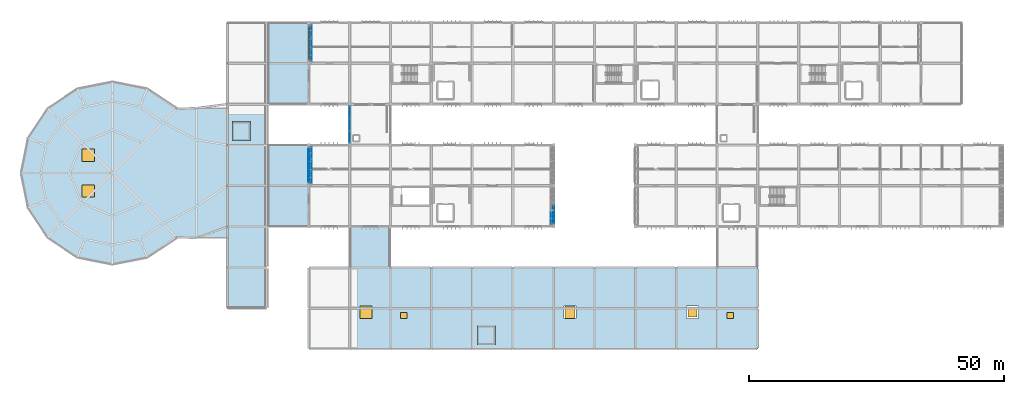
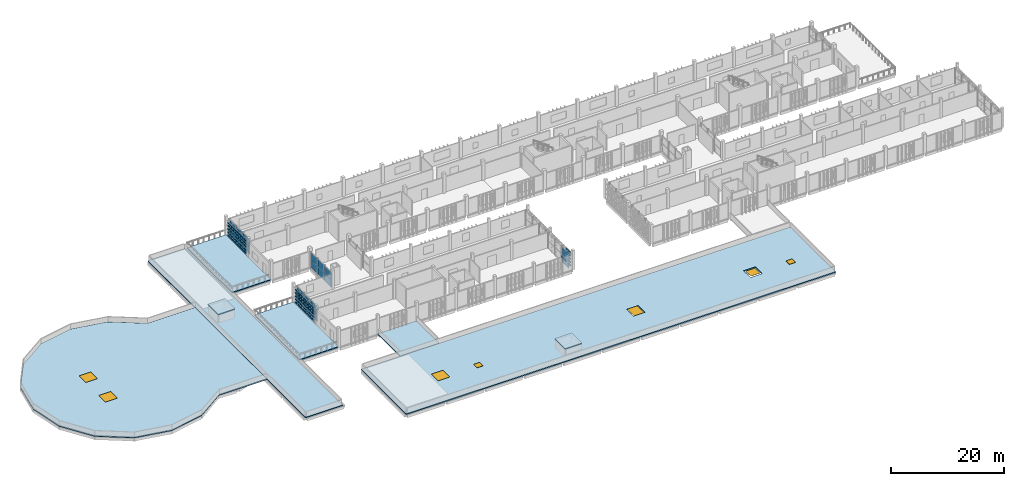
# One storey, part 27 of 48: 66 plates, 8 slabs, 5 windows, 2 doors, 7 openings, 4 elements without a shape of their own.
"""IFC4 building model written with IfcOpenShell, lengths in metres."""

from ifc_helpers import new_model, si_unit, direction, frame, origin, origin_2d, place, context, subcontext, project, spatial, polyline, rectangle, outline, extrude, material, layer, layer_set, type_object, element, fill, aggregate, save


model = new_model("IFC4")

# Units and contexts
model_context = context("Model", 3, precision=1e-05, world=origin(), true_north=direction((0.0, 1.0)))
body_context = subcontext(model_context, "Body", "Model", "MODEL_VIEW")
ifc_project = project(units=[si_unit("LENGTHUNIT", "METRE"), si_unit("AREAUNIT", "SQUARE_METRE"), si_unit("VOLUMEUNIT", "CUBIC_METRE"), si_unit("PLANEANGLEUNIT", "RADIAN"), si_unit("MASSUNIT", "GRAM", prefix="KILO")], contexts=[model_context])

# Site, building, storey
site_placement = place(None, origin())
site = spatial("IfcSite", under=ifc_project, at=site_placement, CompositionType="ELEMENT")
building_placement = place(site_placement, origin())
building = spatial("IfcBuilding", under=site, at=building_placement, Name="Jelvoka-Kovrelna Polytechnic", CompositionType="ELEMENT")
storey_placement = place(building_placement, frame((0.0, 0.0, 22.199951171875)))
storey = spatial("IfcBuildingStorey", under=building, at=storey_placement, Name="L06", CompositionType="ELEMENT", Elevation=22.199951171875)

# Curtain wall, plates
ifc_material_1 = material(Name="Anodised aluminium 6063-T6", Category="aluminium")
ifc_layer_1 = layer(ifc_material_1, 0.159912109375)
ifc_layer_set_1 = layer_set([ifc_layer_1], Name="Anodised aluminium 6063-T6")
curtain_wall_type_1 = type_object("IfcCurtainWallType", Name="CW_Recessed_A", PredefinedType="NOTDEFINED", material=ifc_layer_set_1)
curtain_wall_1_placement = place(storey_placement, origin())
curtain_wall_1 = element("IfcCurtainWall", 1, at=curtain_wall_1_placement, inside=storey, type_object=curtain_wall_type_1, Name="L06 glazed curtain wall 035", PredefinedType="NOTDEFINED")
ifc_material_2 = material(Name="Solar-control double glazing", Category="glass")
ifc_layer_2 = layer(ifc_material_2, 0.028076171875)
ifc_layer_set_2 = layer_set([ifc_layer_2], Name="Solar-control double glazing")
plate_type_1 = type_object("IfcPlateType", Name="Panel_GP-01", PredefinedType="CURTAIN_PANEL", material=ifc_layer_set_2)
plate_1_placement = place(storey_placement, frame((64.56005859375, 41.614990234375, 0.052001953125), z_axis=(0.0, 0.0, 1.0), x_axis=(0.0, 1.0, 0.0)))
plate_1 = element("IfcPlate", 2, at=plate_1_placement, type_object=plate_type_1, Name="CW-01 panel 1.1", PredefinedType="CURTAIN_PANEL", context=body_context, shape_type="SweptSolid", body=[
    extrude(rectangle(XDim=2.326171875, YDim=0.028076171875, at=origin_2d()), origin(), (0.0, 0.0, 1.0), 1.60107421875),
])
plate_2_placement = place(storey_placement, frame((64.56005859375, 41.614990234375, 1.697021484375), z_axis=(0.0, 0.0, 1.0), x_axis=(0.0, 1.0, 0.0)))
plate_2 = element("IfcPlate", 3, at=plate_2_placement, type_object=plate_type_1, Name="CW-01 panel 1.2", PredefinedType="CURTAIN_PANEL", context=body_context, shape_type="SweptSolid", body=[
    extrude(rectangle(XDim=2.326171875, YDim=0.028076171875, at=origin_2d()), origin(), (0.0, 0.0, 1.0), 1.60107421875),
])
plate_3_placement = place(storey_placement, frame((64.56005859375, 44.0, 0.052001953125), z_axis=(0.0, 0.0, 1.0), x_axis=(0.0, 1.0, 0.0)))
plate_3 = element("IfcPlate", 4, at=plate_3_placement, type_object=plate_type_1, Name="CW-01 panel 2.1", PredefinedType="CURTAIN_PANEL", context=body_context, shape_type="SweptSolid", body=[
    extrude(rectangle(XDim=2.356201171875, YDim=0.028076171875, at=origin_2d()), origin(), (0.0, 0.0, 1.0), 1.60107421875),
])
plate_4_placement = place(storey_placement, frame((64.56005859375, 44.0, 1.697021484375), z_axis=(0.0, 0.0, 1.0), x_axis=(0.0, 1.0, 0.0)))
plate_4 = element("IfcPlate", 5, at=plate_4_placement, type_object=plate_type_1, Name="CW-01 panel 2.2", PredefinedType="CURTAIN_PANEL", context=body_context, shape_type="SweptSolid", body=[
    extrude(rectangle(XDim=2.356201171875, YDim=0.028076171875, at=origin_2d()), origin(), (0.0, 0.0, 1.0), 1.60107421875),
])
plate_5_placement = place(storey_placement, frame((64.56005859375, 46.385009765625, 0.052001953125), z_axis=(0.0, 0.0, 1.0), x_axis=(0.0, 1.0, 0.0)))
plate_5 = element("IfcPlate", 6, at=plate_5_placement, type_object=plate_type_1, Name="CW-01 panel 3.1", PredefinedType="CURTAIN_PANEL", context=body_context, shape_type="SweptSolid", body=[
    extrude(rectangle(XDim=2.326171875, YDim=0.028076171875, at=origin_2d()), origin(), (0.0, 0.0, 1.0), 1.60107421875),
])
plate_6_placement = place(storey_placement, frame((64.56005859375, 46.385009765625, 1.697021484375), z_axis=(0.0, 0.0, 1.0), x_axis=(0.0, 1.0, 0.0)))
plate_6 = element("IfcPlate", 7, at=plate_6_placement, type_object=plate_type_1, Name="CW-01 panel 3.2", PredefinedType="CURTAIN_PANEL", context=body_context, shape_type="SweptSolid", body=[
    extrude(rectangle(XDim=2.326171875, YDim=0.028076171875, at=origin_2d()), origin(), (0.0, 0.0, 1.0), 1.60107421875),
])
aggregate(curtain_wall_1, [plate_1, plate_2, plate_3, plate_4, plate_5, plate_6])

curtain_wall_2_placement = place(storey_placement, origin())
curtain_wall_2 = element("IfcCurtainWall", 8, at=curtain_wall_2_placement, inside=storey, type_object=curtain_wall_type_1, Name="L06 glazed curtain wall 036", PredefinedType="NOTDEFINED")
plate_7_placement = place(storey_placement, frame((111.43994140625, 33.614990234375, 0.052001953125), z_axis=(0.0, 0.0, 1.0), x_axis=(0.0, -1.0, 0.0)))
plate_7 = element("IfcPlate", 9, at=plate_7_placement, type_object=plate_type_1, Name="CW-01 panel 3.1", PredefinedType="CURTAIN_PANEL", context=body_context, shape_type="SweptSolid", body=[
    extrude(rectangle(XDim=2.326171875, YDim=0.028076171875, at=origin_2d()), origin(), (0.0, 0.0, 1.0), 1.60107421875),
])
plate_8_placement = place(storey_placement, frame((111.43994140625, 33.614990234375, 1.697021484375), z_axis=(0.0, 0.0, 1.0), x_axis=(0.0, -1.0, 0.0)))
plate_8 = element("IfcPlate", 10, at=plate_8_placement, type_object=plate_type_1, Name="CW-01 panel 3.2", PredefinedType="CURTAIN_PANEL", context=body_context, shape_type="SweptSolid", body=[
    extrude(rectangle(XDim=2.326171875, YDim=0.028076171875, at=origin_2d()), origin(), (0.0, 0.0, 1.0), 1.60107421875),
])
aggregate(curtain_wall_2, [plate_7, plate_8])

ifc_material_3 = material(Name="Anodised aluminium 6063-T6", Category="aluminium")
ifc_layer_3 = layer(ifc_material_3, 0.179931640625)
ifc_layer_set_3 = layer_set([ifc_layer_3], Name="Anodised aluminium 6063-T6")
curtain_wall_type_2 = type_object("IfcCurtainWallType", Name="CW_Recessed_B", PredefinedType="NOTDEFINED", material=ifc_layer_set_3)
curtain_wall_3_placement = place(storey_placement, origin())
curtain_wall_3 = element("IfcCurtainWall", 11, at=curtain_wall_3_placement, inside=storey, type_object=curtain_wall_type_2, Name="L06 glazed curtain wall 091", PredefinedType="NOTDEFINED")
ifc_material_4 = material(Name="Solar-control double glazing", Category="glass")
ifc_layer_4 = layer(ifc_material_4, 0.031982421875)
ifc_layer_set_4 = layer_set([ifc_layer_4], Name="Solar-control double glazing")
plate_type_2 = type_object("IfcPlateType", Name="Panel_GP-02", PredefinedType="CURTAIN_PANEL", material=ifc_layer_set_4)
plate_9_placement = place(storey_placement, frame((64.56005859375, 65.6162109375, 0.056884765625), z_axis=(0.0, 0.0, 1.0), x_axis=(0.0, 1.0, 0.0)))
plate_9 = element("IfcPlate", 12, at=plate_9_placement, type_object=plate_type_2, Name="CW-02 panel 1.1", PredefinedType="CURTAIN_PANEL", context=body_context, shape_type="SweptSolid", body=[
    extrude(rectangle(XDim=2.318603515625, YDim=0.031982421875, at=origin_2d()), origin(), (0.0, 0.0, 1.0), 1.593505859375),
])
plate_10_placement = place(storey_placement, frame((64.56005859375, 65.6162109375, 1.699462890625), z_axis=(0.0, 0.0, 1.0), x_axis=(0.0, 1.0, 0.0)))
plate_10 = element("IfcPlate", 13, at=plate_10_placement, type_object=plate_type_2, Name="CW-02 panel 1.2", PredefinedType="CURTAIN_PANEL", context=body_context, shape_type="SweptSolid", body=[
    extrude(rectangle(XDim=2.318603515625, YDim=0.031982421875, at=origin_2d()), origin(), (0.0, 0.0, 1.0), 1.593505859375),
])
plate_11_placement = place(storey_placement, frame((64.56005859375, 68.0, 0.056884765625), z_axis=(0.0, 0.0, 1.0), x_axis=(0.0, 1.0, 0.0)))
plate_11 = element("IfcPlate", 14, at=plate_11_placement, type_object=plate_type_2, Name="CW-02 panel 2.1", PredefinedType="CURTAIN_PANEL", context=body_context, shape_type="SweptSolid", body=[
    extrude(rectangle(XDim=2.35107421875, YDim=0.031982421875, at=origin_2d()), origin(), (0.0, 0.0, 1.0), 1.593505859375),
])
plate_12_placement = place(storey_placement, frame((64.56005859375, 68.0, 1.699462890625), z_axis=(0.0, 0.0, 1.0), x_axis=(0.0, 1.0, 0.0)))
plate_12 = element("IfcPlate", 15, at=plate_12_placement, type_object=plate_type_2, Name="CW-02 panel 2.2", PredefinedType="CURTAIN_PANEL", context=body_context, shape_type="SweptSolid", body=[
    extrude(rectangle(XDim=2.35107421875, YDim=0.031982421875, at=origin_2d()), origin(), (0.0, 0.0, 1.0), 1.593505859375),
])
plate_13_placement = place(storey_placement, frame((64.56005859375, 70.3837890625, 0.056884765625), z_axis=(0.0, 0.0, 1.0), x_axis=(0.0, 1.0, 0.0)))
plate_13 = element("IfcPlate", 16, at=plate_13_placement, type_object=plate_type_2, Name="CW-02 panel 3.1", PredefinedType="CURTAIN_PANEL", context=body_context, shape_type="SweptSolid", body=[
    extrude(rectangle(XDim=2.318603515625, YDim=0.031982421875, at=origin_2d()), origin(), (0.0, 0.0, 1.0), 1.593505859375),
])
plate_14_placement = place(storey_placement, frame((64.56005859375, 70.3837890625, 1.699462890625), z_axis=(0.0, 0.0, 1.0), x_axis=(0.0, 1.0, 0.0)))
plate_14 = element("IfcPlate", 17, at=plate_14_placement, type_object=plate_type_2, Name="CW-02 panel 3.2", PredefinedType="CURTAIN_PANEL", context=body_context, shape_type="SweptSolid", body=[
    extrude(rectangle(XDim=2.318603515625, YDim=0.031982421875, at=origin_2d()), origin(), (0.0, 0.0, 1.0), 1.593505859375),
])
aggregate(curtain_wall_3, [plate_9, plate_10, plate_11, plate_12, plate_13, plate_14])

ifc_material_5 = material(Name="Anodised aluminium 6063-T6", Category="aluminium")
ifc_layer_5 = layer(ifc_material_5, 0.159912109375)
ifc_layer_set_5 = layer_set([ifc_layer_5], Name="Anodised aluminium 6063-T6")
curtain_wall_type_3 = type_object("IfcCurtainWallType", Name="CW_LinkBridge", PredefinedType="NOTDEFINED", material=ifc_layer_set_5)
curtain_wall_4_placement = place(storey_placement, origin())
curtain_wall_4 = element("IfcCurtainWall", 18, at=curtain_wall_4_placement, inside=storey, type_object=curtain_wall_type_3, Name="L06 glazed curtain wall 159", PredefinedType="NOTDEFINED")
ifc_material_6 = material(Name="Solar-control double glazing", Category="glass")
ifc_layer_6 = layer(ifc_material_6, 0.02392578125)
ifc_layer_set_6 = layer_set([ifc_layer_6], Name="Solar-control double glazing")
plate_type_3 = type_object("IfcPlateType", Name="Panel_GP-04", PredefinedType="CURTAIN_PANEL", material=ifc_layer_set_6)
plate_15_placement = place(storey_placement, frame((72.0, 49.614990234375, 0.052001953125), z_axis=(0.0, 0.0, 1.0), x_axis=(0.0, 1.0, 0.0)))
plate_15 = element("IfcPlate", 19, at=plate_15_placement, type_object=plate_type_3, Name="CW-04 panel 1.1", PredefinedType="CURTAIN_PANEL", context=body_context, shape_type="SweptSolid", body=[
    extrude(rectangle(XDim=2.326171875, YDim=0.02392578125, at=origin_2d()), origin(), (0.0, 0.0, 1.0), 1.60107421875),
])
plate_16_placement = place(storey_placement, frame((72.0, 49.614990234375, 1.697021484375), z_axis=(0.0, 0.0, 1.0), x_axis=(0.0, 1.0, 0.0)))
plate_16 = element("IfcPlate", 20, at=plate_16_placement, type_object=plate_type_3, Name="CW-04 panel 1.2", PredefinedType="CURTAIN_PANEL", context=body_context, shape_type="SweptSolid", body=[
    extrude(rectangle(XDim=2.326171875, YDim=0.02392578125, at=origin_2d()), origin(), (0.0, 0.0, 1.0), 1.60107421875),
])
plate_17_placement = place(storey_placement, frame((72.0, 52.0, 0.052001953125), z_axis=(0.0, 0.0, 1.0), x_axis=(0.0, 1.0, 0.0)))
plate_17 = element("IfcPlate", 21, at=plate_17_placement, type_object=plate_type_3, Name="CW-04 panel 2.1", PredefinedType="CURTAIN_PANEL", context=body_context, shape_type="SweptSolid", body=[
    extrude(rectangle(XDim=2.356201171875, YDim=0.02392578125, at=origin_2d()), origin(), (0.0, 0.0, 1.0), 1.60107421875),
])
plate_18_placement = place(storey_placement, frame((72.0, 52.0, 1.697021484375), z_axis=(0.0, 0.0, 1.0), x_axis=(0.0, 1.0, 0.0)))
plate_18 = element("IfcPlate", 22, at=plate_18_placement, type_object=plate_type_3, Name="CW-04 panel 2.2", PredefinedType="CURTAIN_PANEL", context=body_context, shape_type="SweptSolid", body=[
    extrude(rectangle(XDim=2.356201171875, YDim=0.02392578125, at=origin_2d()), origin(), (0.0, 0.0, 1.0), 1.60107421875),
])
plate_19_placement = place(storey_placement, frame((72.0, 54.385009765625, 0.052001953125), z_axis=(0.0, 0.0, 1.0), x_axis=(0.0, 1.0, 0.0)))
plate_19 = element("IfcPlate", 23, at=plate_19_placement, type_object=plate_type_3, Name="CW-04 panel 3.1", PredefinedType="CURTAIN_PANEL", context=body_context, shape_type="SweptSolid", body=[
    extrude(rectangle(XDim=2.326171875, YDim=0.02392578125, at=origin_2d()), origin(), (0.0, 0.0, 1.0), 1.60107421875),
])
plate_20_placement = place(storey_placement, frame((72.0, 54.385009765625, 1.697021484375), z_axis=(0.0, 0.0, 1.0), x_axis=(0.0, 1.0, 0.0)))
plate_20 = element("IfcPlate", 24, at=plate_20_placement, type_object=plate_type_3, Name="CW-04 panel 3.2", PredefinedType="CURTAIN_PANEL", context=body_context, shape_type="SweptSolid", body=[
    extrude(rectangle(XDim=2.326171875, YDim=0.02392578125, at=origin_2d()), origin(), (0.0, 0.0, 1.0), 1.60107421875),
])
aggregate(curtain_wall_4, [plate_15, plate_16, plate_17, plate_18, plate_19, plate_20])

# Plates
ifc_material_7 = material(Name="Perforated fired terracotta block", Category="masonry")
ifc_layer_7 = layer(ifc_material_7, 0.159912109375)
ifc_layer_set_7 = layer_set([ifc_layer_7], Name="Perforated fired terracotta block")
plate_type_4 = type_object("IfcPlateType", Name="Screen_Terracotta_TP01", PredefinedType="USERDEFINED", material=ifc_layer_set_7)
for number, where, z_axis, x_axis, name in (
    (25, (64.02001953125, 41.60009765625, 0.26025390625), (0.0, 0.0, 1.0), (0.0, 1.0, 0.0), "L06 perforated terracotta lattice band 0361"),
    (26, (64.02001953125, 41.60009765625, 0.9375), (0.0, 0.0, 1.0), (0.0, 1.0, 0.0), "L06 perforated terracotta lattice band 0362"),
    (27, (64.02001953125, 41.60009765625, 1.615234375), (0.0, 0.0, 1.0), (0.0, 1.0, 0.0), "L06 perforated terracotta lattice band 0363"),
    (28, (64.02001953125, 41.60009765625, 2.29248046875), (0.0, 0.0, 1.0), (0.0, 1.0, 0.0), "L06 perforated terracotta lattice band 0364"),
    (29, (64.02001953125, 41.60009765625, 2.97021484375), (0.0, 0.0, 1.0), (0.0, 1.0, 0.0), "L06 perforated terracotta lattice band 0365"),
    (30, (64.02001953125, 43.199951171875, 0.26025390625), (0.0, 0.0, 1.0), (0.0, 1.0, 0.0), "L06 perforated terracotta lattice band 0366"),
    (31, (64.02001953125, 43.199951171875, 0.9375), (0.0, 0.0, 1.0), (0.0, 1.0, 0.0), "L06 perforated terracotta lattice band 0367"),
    (32, (64.02001953125, 43.199951171875, 1.615234375), (0.0, 0.0, 1.0), (0.0, 1.0, 0.0), "L06 perforated terracotta lattice band 0368"),
    (33, (64.02001953125, 43.199951171875, 2.29248046875), (0.0, 0.0, 1.0), (0.0, 1.0, 0.0), "L06 perforated terracotta lattice band 0369"),
    (34, (64.02001953125, 43.199951171875, 2.97021484375), (0.0, 0.0, 1.0), (0.0, 1.0, 0.0), "L06 perforated terracotta lattice band 0370"),
    (35, (64.02001953125, 44.800048828125, 0.26025390625), (0.0, 0.0, 1.0), (0.0, 1.0, 0.0), "L06 perforated terracotta lattice band 0371"),
    (36, (64.02001953125, 44.800048828125, 0.9375), (0.0, 0.0, 1.0), (0.0, 1.0, 0.0), "L06 perforated terracotta lattice band 0372"),
    (37, (64.02001953125, 44.800048828125, 1.615234375), (0.0, 0.0, 1.0), (0.0, 1.0, 0.0), "L06 perforated terracotta lattice band 0373"),
    (38, (64.02001953125, 44.800048828125, 2.29248046875), (0.0, 0.0, 1.0), (0.0, 1.0, 0.0), "L06 perforated terracotta lattice band 0374"),
    (39, (64.02001953125, 44.800048828125, 2.97021484375), (0.0, 0.0, 1.0), (0.0, 1.0, 0.0), "L06 perforated terracotta lattice band 0375"),
    (40, (64.02001953125, 46.39990234375, 0.26025390625), (0.0, 0.0, 1.0), (0.0, 1.0, 0.0), "L06 perforated terracotta lattice band 0376"),
    (41, (64.02001953125, 46.39990234375, 0.9375), (0.0, 0.0, 1.0), (0.0, 1.0, 0.0), "L06 perforated terracotta lattice band 0377"),
    (42, (64.02001953125, 46.39990234375, 1.615234375), (0.0, 0.0, 1.0), (0.0, 1.0, 0.0), "L06 perforated terracotta lattice band 0378"),
    (43, (64.02001953125, 46.39990234375, 2.29248046875), (0.0, 0.0, 1.0), (0.0, 1.0, 0.0), "L06 perforated terracotta lattice band 0379"),
    (44, (64.02001953125, 46.39990234375, 2.97021484375), (0.0, 0.0, 1.0), (0.0, 1.0, 0.0), "L06 perforated terracotta lattice band 0380"),
    (45, (111.97998046875, 33.60009765625, 0.2001953125), (0.0, 0.0, 1.0), (0.0, 1.0, 0.0), "L06 perforated terracotta lattice band 0381"),
    (46, (111.97998046875, 33.60009765625, 0.892578125), (0.0, 0.0, 1.0), (0.0, 1.0, 0.0), "L06 perforated terracotta lattice band 0382"),
    (47, (111.97998046875, 33.60009765625, 1.5849609375), (0.0, 0.0, 1.0), (0.0, 1.0, 0.0), "L06 perforated terracotta lattice band 0383"),
    (48, (111.97998046875, 33.60009765625, 2.27734375), (0.0, 0.0, 1.0), (0.0, 1.0, 0.0), "L06 perforated terracotta lattice band 0384"),
    (49, (111.97998046875, 33.60009765625, 2.97021484375), (0.0, 0.0, 1.0), (0.0, 1.0, 0.0), "L06 perforated terracotta lattice band 0385"),
    (50, (111.97998046875, 35.199951171875, 0.2001953125), (0.0, 0.0, 1.0), (0.0, 1.0, 0.0), "L06 perforated terracotta lattice band 0386"),
):
    element("IfcPlate", number, at=place(storey_placement, frame(where, z_axis=z_axis, x_axis=x_axis)), inside=storey, type_object=plate_type_4, Name=name, ObjectType="SCREEN PANEL", PredefinedType="USERDEFINED", context=body_context, shape_type="SweptSolid", body=[
        extrude(rectangle(XDim=1.60009765625, YDim=0.159912109375, at=origin_2d()), origin(), (0.0, 0.0, 1.0), 0.239990234375),
    ])
ifc_material_8 = material(Name="Perforated fired terracotta block", Category="masonry")
ifc_layer_8 = layer(ifc_material_8, 0.14990234375)
ifc_layer_set_8 = layer_set([ifc_layer_8], Name="Perforated fired terracotta block")
plate_type_5 = type_object("IfcPlateType", Name="Screen_Terracotta_TP03", PredefinedType="USERDEFINED", material=ifc_layer_set_8)
for number, where, z_axis, x_axis, name in (
    (51, (64.02001953125, 65.60009765625, 0.25), (0.0, 0.0, 1.0), (0.0, 1.0, 0.0), "L06 perforated terracotta lattice band 1161"),
    (52, (64.02001953125, 65.60009765625, 0.927734375), (0.0, 0.0, 1.0), (0.0, 1.0, 0.0), "L06 perforated terracotta lattice band 1162"),
    (53, (64.02001953125, 65.60009765625, 1.60498046875), (0.0, 0.0, 1.0), (0.0, 1.0, 0.0), "L06 perforated terracotta lattice band 1163"),
    (54, (64.02001953125, 65.60009765625, 2.28271484375), (0.0, 0.0, 1.0), (0.0, 1.0, 0.0), "L06 perforated terracotta lattice band 1164"),
    (55, (64.02001953125, 65.60009765625, 2.9599609375), (0.0, 0.0, 1.0), (0.0, 1.0, 0.0), "L06 perforated terracotta lattice band 1165"),
    (56, (64.02001953125, 67.199951171875, 0.25), (0.0, 0.0, 1.0), (0.0, 1.0, 0.0), "L06 perforated terracotta lattice band 1166"),
    (57, (64.02001953125, 67.199951171875, 0.927734375), (0.0, 0.0, 1.0), (0.0, 1.0, 0.0), "L06 perforated terracotta lattice band 1167"),
    (58, (64.02001953125, 67.199951171875, 1.60498046875), (0.0, 0.0, 1.0), (0.0, 1.0, 0.0), "L06 perforated terracotta lattice band 1168"),
    (59, (64.02001953125, 67.199951171875, 2.28271484375), (0.0, 0.0, 1.0), (0.0, 1.0, 0.0), "L06 perforated terracotta lattice band 1169"),
    (60, (64.02001953125, 67.199951171875, 2.9599609375), (0.0, 0.0, 1.0), (0.0, 1.0, 0.0), "L06 perforated terracotta lattice band 1170"),
    (61, (64.02001953125, 68.800048828125, 0.25), (0.0, 0.0, 1.0), (0.0, 1.0, 0.0), "L06 perforated terracotta lattice band 1171"),
    (62, (64.02001953125, 68.800048828125, 0.927734375), (0.0, 0.0, 1.0), (0.0, 1.0, 0.0), "L06 perforated terracotta lattice band 1172"),
    (63, (64.02001953125, 68.800048828125, 1.60498046875), (0.0, 0.0, 1.0), (0.0, 1.0, 0.0), "L06 perforated terracotta lattice band 1173"),
    (64, (64.02001953125, 68.800048828125, 2.28271484375), (0.0, 0.0, 1.0), (0.0, 1.0, 0.0), "L06 perforated terracotta lattice band 1174"),
    (65, (64.02001953125, 68.800048828125, 2.9599609375), (0.0, 0.0, 1.0), (0.0, 1.0, 0.0), "L06 perforated terracotta lattice band 1175"),
    (66, (64.02001953125, 70.39990234375, 0.25), (0.0, 0.0, 1.0), (0.0, 1.0, 0.0), "L06 perforated terracotta lattice band 1176"),
    (67, (64.02001953125, 70.39990234375, 0.927734375), (0.0, 0.0, 1.0), (0.0, 1.0, 0.0), "L06 perforated terracotta lattice band 1177"),
    (68, (64.02001953125, 70.39990234375, 1.60498046875), (0.0, 0.0, 1.0), (0.0, 1.0, 0.0), "L06 perforated terracotta lattice band 1178"),
    (69, (64.02001953125, 70.39990234375, 2.28271484375), (0.0, 0.0, 1.0), (0.0, 1.0, 0.0), "L06 perforated terracotta lattice band 1179"),
    (70, (64.02001953125, 70.39990234375, 2.9599609375), (0.0, 0.0, 1.0), (0.0, 1.0, 0.0), "L06 perforated terracotta lattice band 1180"),
):
    element("IfcPlate", number, at=place(storey_placement, frame(where, z_axis=z_axis, x_axis=x_axis)), inside=storey, type_object=plate_type_5, Name=name, ObjectType="SCREEN PANEL", PredefinedType="USERDEFINED", context=body_context, shape_type="SweptSolid", body=[
        extrude(rectangle(XDim=1.56005859375, YDim=0.14990234375, at=origin_2d()), origin(), (0.0, 0.0, 1.0), 0.260009765625),
    ])

# Slabs
ifc_material_9 = material(Name="Concrete C35/45", Category="concrete")
ifc_layer_9 = layer(ifc_material_9, 0.2099609375)
ifc_layer_set_9 = layer_set([ifc_layer_9], Name="Concrete C35/45")
slab_type_1 = type_object("IfcSlabType", Name="Slab_Roof_Flat_210", PredefinedType="ROOF", material=ifc_layer_set_9)
slab_1_placement = place(storey_placement, frame((0.0, 0.0, -0.2099609375)))
element("IfcSlab", 71, at=slab_1_placement, inside=storey, type_object=slab_type_1, Name="L06 west concourse spine flat roof", PredefinedType="ROOF", context=body_context, shape_type="SweptSolid", body=[
    extrude(outline(polyline([(48.0, 16.0), (55.6201171875, 16.0), (55.6201171875, 72.0), (48.0, 72.0), (48.0, 16.0)])), origin(), (0.0, 0.0, 1.0), 0.2099609375),
])
slab_2_placement = place(storey_placement, frame((0.0, 0.0, -0.2099609375)))
element("IfcSlab", 72, at=slab_2_placement, inside=storey, type_object=slab_type_1, Name="L06 courtyard link LNKSW roof", PredefinedType="ROOF", context=body_context, shape_type="SweptSolid", body=[
    extrude(outline(polyline([(72.0, 24.0), (80.0, 24.0), (80.0, 32.0), (72.0, 32.0), (72.0, 24.0)])), origin(), (0.0, 0.0, 1.0), 0.2099609375),
])
slab_3_placement = place(storey_placement, frame((0.0, 0.0, 1.800048828125)))
element("IfcSlab", 73, at=slab_3_placement, inside=storey, type_object=slab_type_1, Name="L06 lift overrun flat roof cap LF-P3", PredefinedType="ROOF", context=body_context, shape_type="SweptSolid", body=[
    extrude(outline(polyline([(97.050048828125, 8.85009765625), (100.550048828125, 8.85009765625), (100.550048828125, 12.550048828125), (97.050048828125, 12.550048828125), (97.050048828125, 8.85009765625)])), origin(), (0.0, 0.0, 1.0), 0.2099609375),
])
slab_4_placement = place(storey_placement, frame((0.0, 0.0, 1.800048828125)))
element("IfcSlab", 74, at=slab_4_placement, inside=storey, type_object=slab_type_1, Name="L06 lift overrun flat roof cap LF-P4", PredefinedType="ROOF", context=body_context, shape_type="SweptSolid", body=[
    extrude(outline(polyline([(49.050048828125, 48.85009765625), (52.550048828125, 48.85009765625), (52.550048828125, 52.550048828125), (49.050048828125, 52.550048828125), (49.050048828125, 48.85009765625)])), origin(), (0.0, 0.0, 1.0), 0.2099609375),
])

# Slab, openings, doors, windows
ifc_material_10 = material(Name="Concrete C35/45", Category="concrete")
ifc_layer_10 = layer(ifc_material_10, 0.239990234375)
ifc_layer_set_10 = layer_set([ifc_layer_10], Name="Concrete C35/45")
slab_type_2 = type_object("IfcSlabType", Name="Slab_Roof_Flat_240", PredefinedType="ROOF", material=ifc_layer_set_10)
slab_5_placement = place(storey_placement, frame((0.0, 0.0, -0.239990234375)))
slab_5 = element("IfcSlab", 75, at=slab_5_placement, inside=storey, type_object=slab_type_2, Name="L06 south teaching bar B1 flat roof", PredefinedType="ROOF", context=body_context, shape_type="SweptSolid", body=[
    extrude(outline(polyline([(64.0, 8.0), (152.0, 8.0), (152.0, 24.0), (64.0, 24.0), (64.0, 8.0)]), holes=[polyline([(74.0, 14.0), (76.39990234375, 14.0), (76.39990234375, 16.39990234375), (74.0, 16.39990234375), (74.0, 14.0)]), polyline([(114.0, 14.0), (116.39990234375, 14.0), (116.39990234375, 16.39990234375), (114.0, 16.39990234375), (114.0, 14.0)]), polyline([(138.0, 14.0), (140.39990234375, 14.0), (140.39990234375, 16.39990234375), (138.0, 16.39990234375), (138.0, 14.0)]), polyline([(82.0, 14.0), (83.199951171875, 14.0), (83.199951171875, 15.199951171875), (82.0, 15.199951171875), (82.0, 14.0)]), polyline([(146.0, 14.0), (147.199951171875, 14.0), (147.199951171875, 15.199951171875), (146.0, 15.199951171875), (146.0, 14.0)])]), origin(), (0.0, 0.0, 1.0), 0.239990234375),
])
opening_1_placement = place(slab_5_placement, frame((75.199951171875, 15.199951171875, 0.0)))
opening_1 = element("IfcOpeningElement", 76, at=opening_1_placement, cuts=slab_5, Name="Opening SK-L06-B1-1", PredefinedType="OPENING", context=body_context, shape_type="SweptSolid", body=[
    extrude(rectangle(XDim=2.39990234375, YDim=2.39990234375, at=origin_2d()), frame((0.0, 0.0, -0.010009765625)), (0.0, 0.0, 1.0), 0.260009765625),
])
opening_2_placement = place(slab_5_placement, frame((115.199951171875, 15.199951171875, 0.0)))
opening_2 = element("IfcOpeningElement", 77, at=opening_2_placement, cuts=slab_5, Name="Opening SK-L06-B1-2", PredefinedType="OPENING", context=body_context, shape_type="SweptSolid", body=[
    extrude(rectangle(XDim=2.0, YDim=2.39990234375, at=origin_2d()), frame((0.0, 0.0, -0.010009765625)), (0.0, 0.0, 1.0), 0.260009765625),
])
opening_3_placement = place(slab_5_placement, frame((139.199951171875, 15.199951171875, 0.0)))
opening_3 = element("IfcOpeningElement", 78, at=opening_3_placement, cuts=slab_5, Name="Opening SK-L06-B1-3", PredefinedType="OPENING", context=body_context, shape_type="SweptSolid", body=[
    extrude(rectangle(XDim=1.800048828125, YDim=1.800048828125, at=origin_2d()), frame((0.0, 0.0, -0.010009765625)), (0.0, 0.0, 1.0), 0.260009765625),
])
opening_4_placement = place(slab_5_placement, frame((82.60009765625, 14.60009765625, 0.0)))
opening_4 = element("IfcOpeningElement", 79, at=opening_4_placement, cuts=slab_5, Name="Opening HT-L06-01", PredefinedType="OPENING", context=body_context, shape_type="SweptSolid", body=[
    extrude(rectangle(XDim=1.199951171875, YDim=1.199951171875, at=origin_2d()), frame((0.0, 0.0, -0.010009765625)), (0.0, 0.0, 1.0), 0.31005859375),
])
opening_5_placement = place(slab_5_placement, frame((146.60009765625, 14.60009765625, 0.0)))
opening_5 = element("IfcOpeningElement", 80, at=opening_5_placement, cuts=slab_5, Name="Opening HT-L06-02", PredefinedType="OPENING", context=body_context, shape_type="SweptSolid", body=[
    extrude(rectangle(XDim=1.199951171875, YDim=1.199951171875, at=origin_2d()), frame((0.0, 0.0, -0.010009765625)), (0.0, 0.0, 1.0), 0.31005859375),
])
ifc_material_11 = material(Name="Powder-coated aluminium and laminated safety glass", Category="aluminium")
door_type = type_object("IfcDoorType", Name="Hatch_Roof_1200x1200", OperationType="NOTDEFINED", PredefinedType="TRAPDOOR", material=ifc_material_11)
door_1_placement = place(opening_4_placement, frame((0.0, 0.0, 0.239990234375)))
door_1 = element("IfcDoor", 81, at=door_1_placement, inside=storey, type_object=door_type, Name="L06 roof access trapdoor HT-L06-01", OperationType="SINGLE_SWING_LEFT", OverallHeight=1.199951171875, OverallWidth=1.199951171875, PredefinedType="TRAPDOOR", context=body_context, shape_type="SweptSolid", body=[
    extrude(rectangle(XDim=1.199951171875, YDim=1.199951171875, at=origin_2d()), origin(), (0.0, 0.0, 1.0), 0.050048828125),
])
fill(opening_4, door_1)
door_2_placement = place(opening_5_placement, frame((0.0, 0.0, 0.239990234375)))
door_2 = element("IfcDoor", 82, at=door_2_placement, inside=storey, type_object=door_type, Name="L06 roof access trapdoor HT-L06-02", OperationType="SINGLE_SWING_LEFT", OverallHeight=1.199951171875, OverallWidth=1.199951171875, PredefinedType="TRAPDOOR", context=body_context, shape_type="SweptSolid", body=[
    extrude(rectangle(XDim=1.199951171875, YDim=1.199951171875, at=origin_2d()), origin(), (0.0, 0.0, 1.0), 0.050048828125),
])
fill(opening_5, door_2)
ifc_material_12 = material(Name="Laminated solar-control skylight glazing", Category="glass")
window_type_1 = type_object("IfcWindowType", Name="Skylight_SK01", PartitioningType="SINGLE_PANEL", PredefinedType="SKYLIGHT", material=ifc_material_12)
window_1_placement = place(opening_1_placement, frame((0.0, 0.0, 0.18994140625)))
window_1 = element("IfcWindow", 83, at=window_1_placement, inside=storey, type_object=window_type_1, Name="L06 roof skylight SK-L06-B1-1", OverallHeight=2.39990234375, OverallWidth=2.39990234375, PartitioningType="SINGLE_PANEL", PredefinedType="SKYLIGHT", context=body_context, shape_type="SweptSolid", body=[
    extrude(rectangle(XDim=2.39990234375, YDim=2.39990234375, at=origin_2d()), origin(), (0.0, 0.0, 1.0), 0.050048828125),
])
fill(opening_1, window_1)
ifc_material_13 = material(Name="Laminated solar-control skylight glazing", Category="glass")
window_type_2 = type_object("IfcWindowType", Name="Skylight_SK02", PartitioningType="SINGLE_PANEL", PredefinedType="SKYLIGHT", material=ifc_material_13)
window_2_placement = place(opening_2_placement, frame((0.0, 0.0, 0.18994140625)))
window_2 = element("IfcWindow", 84, at=window_2_placement, inside=storey, type_object=window_type_2, Name="L06 roof skylight SK-L06-B1-2", OverallHeight=2.39990234375, OverallWidth=2.0, PartitioningType="SINGLE_PANEL", PredefinedType="SKYLIGHT", context=body_context, shape_type="SweptSolid", body=[
    extrude(rectangle(XDim=2.0, YDim=2.39990234375, at=origin_2d()), origin(), (0.0, 0.0, 1.0), 0.050048828125),
])
fill(opening_2, window_2)
ifc_material_14 = material(Name="Laminated solar-control skylight glazing", Category="glass")
window_type_3 = type_object("IfcWindowType", Name="Skylight_SK03", PartitioningType="SINGLE_PANEL", PredefinedType="SKYLIGHT", material=ifc_material_14)
window_3_placement = place(opening_3_placement, frame((0.0, 0.0, 0.18994140625)))
window_3 = element("IfcWindow", 85, at=window_3_placement, inside=storey, type_object=window_type_3, Name="L06 roof skylight SK-L06-B1-3", OverallHeight=1.800048828125, OverallWidth=1.800048828125, PartitioningType="SINGLE_PANEL", PredefinedType="SKYLIGHT", context=body_context, shape_type="SweptSolid", body=[
    extrude(rectangle(XDim=1.800048828125, YDim=1.800048828125, at=origin_2d()), origin(), (0.0, 0.0, 1.0), 0.050048828125),
])
fill(opening_3, window_3)

# Slab, openings, windows
slab_6_placement = place(storey_placement, frame((0.0, 0.0, -0.239990234375)))
slab_6 = element("IfcSlab", 86, at=slab_6_placement, inside=storey, type_object=slab_type_2, Name="L06 west spiral rotunda flat roof deck", PredefinedType="ROOF", context=body_context, shape_type="SweptSolid", body=[
    extrude(outline(polyline([(48.0, 29.772216796875), (48.0, 55.227783203125), (38.227783203125, 55.227783203125), (32.38818359375, 59.1298828125), (25.5, 60.5), (18.61181640625, 59.1298828125), (12.772216796875, 55.227783203125), (8.8701171875, 49.38818359375), (7.5, 42.5), (8.8701171875, 35.61181640625), (12.772216796875, 29.772216796875), (18.61181640625, 25.8701171875), (25.5, 24.5), (32.38818359375, 25.8701171875), (38.227783203125, 29.772216796875), (48.0, 29.772216796875)]), holes=[polyline([(19.60009765625, 37.800048828125), (22.0, 37.800048828125), (22.0, 40.199951171875), (19.60009765625, 40.199951171875), (19.60009765625, 37.800048828125)]), polyline([(19.60009765625, 44.800048828125), (22.0, 44.800048828125), (22.0, 47.199951171875), (19.60009765625, 47.199951171875), (19.60009765625, 44.800048828125)])]), origin(), (0.0, 0.0, 1.0), 0.239990234375),
])
opening_6_placement = place(slab_6_placement, frame((20.800048828125, 39.0, 0.0)))
opening_6 = element("IfcOpeningElement", 87, at=opening_6_placement, cuts=slab_6, Name="Opening SK-L06-ROT-1", PredefinedType="OPENING", context=body_context, shape_type="SweptSolid", body=[
    extrude(rectangle(XDim=2.39990234375, YDim=2.39990234375, at=origin_2d()), frame((0.0, 0.0, -0.010009765625)), (0.0, 0.0, 1.0), 0.260009765625),
])
opening_7_placement = place(slab_6_placement, frame((20.800048828125, 46.0, 0.0)))
opening_7 = element("IfcOpeningElement", 88, at=opening_7_placement, cuts=slab_6, Name="Opening SK-L06-ROT-2", PredefinedType="OPENING", context=body_context, shape_type="SweptSolid", body=[
    extrude(rectangle(XDim=2.39990234375, YDim=2.39990234375, at=origin_2d()), frame((0.0, 0.0, -0.010009765625)), (0.0, 0.0, 1.0), 0.260009765625),
])
window_4_placement = place(opening_6_placement, frame((0.0, 0.0, 0.18994140625)))
window_4 = element("IfcWindow", 89, at=window_4_placement, inside=storey, type_object=window_type_1, Name="L06 roof skylight SK-L06-ROT-1", OverallHeight=2.39990234375, OverallWidth=2.39990234375, PartitioningType="SINGLE_PANEL", PredefinedType="SKYLIGHT", context=body_context, shape_type="SweptSolid", body=[
    extrude(rectangle(XDim=2.39990234375, YDim=2.39990234375, at=origin_2d()), origin(), (0.0, 0.0, 1.0), 0.050048828125),
])
fill(opening_6, window_4)
window_5_placement = place(opening_7_placement, frame((0.0, 0.0, 0.18994140625)))
window_5 = element("IfcWindow", 90, at=window_5_placement, inside=storey, type_object=window_type_1, Name="L06 roof skylight SK-L06-ROT-2", OverallHeight=2.39990234375, OverallWidth=2.39990234375, PartitioningType="SINGLE_PANEL", PredefinedType="SKYLIGHT", context=body_context, shape_type="SweptSolid", body=[
    extrude(rectangle(XDim=2.39990234375, YDim=2.39990234375, at=origin_2d()), origin(), (0.0, 0.0, 1.0), 0.050048828125),
])
fill(opening_7, window_5)

# Slabs
ifc_material_15 = material(Name="Concrete C35/45", Category="concrete")
ifc_layer_11 = layer(ifc_material_15, 0.219970703125)
ifc_layer_set_11 = layer_set([ifc_layer_11], Name="Concrete C35/45")
slab_type_3 = type_object("IfcSlabType", Name="Slab_Terrace_220", PredefinedType="FLOOR", material=ifc_layer_set_11)
slab_7_placement = place(storey_placement, frame((0.0, 0.0, -0.219970703125)))
element("IfcSlab", 91, at=slab_7_placement, inside=storey, type_object=slab_type_3, Name="L06 outdoor setback terrace TER-L06-B2WW", PredefinedType="FLOOR", context=body_context, shape_type="SweptSolid", body=[
    extrude(outline(polyline([(56.0, 32.0), (64.0, 32.0), (64.0, 48.0), (56.0, 48.0), (56.0, 32.0)])), origin(), (0.0, 0.0, 1.0), 0.219970703125),
])
slab_8_placement = place(storey_placement, frame((0.0, 0.0, -0.219970703125)))
element("IfcSlab", 92, at=slab_8_placement, inside=storey, type_object=slab_type_3, Name="L06 outdoor setback terrace TER-L06-B3W", PredefinedType="FLOOR", context=body_context, shape_type="SweptSolid", body=[
    extrude(outline(polyline([(56.0, 56.0), (64.0, 56.0), (64.0, 72.0), (56.0, 72.0), (56.0, 56.0)])), origin(), (0.0, 0.0, 1.0), 0.219970703125),
])

save(model, "model.ifc")
